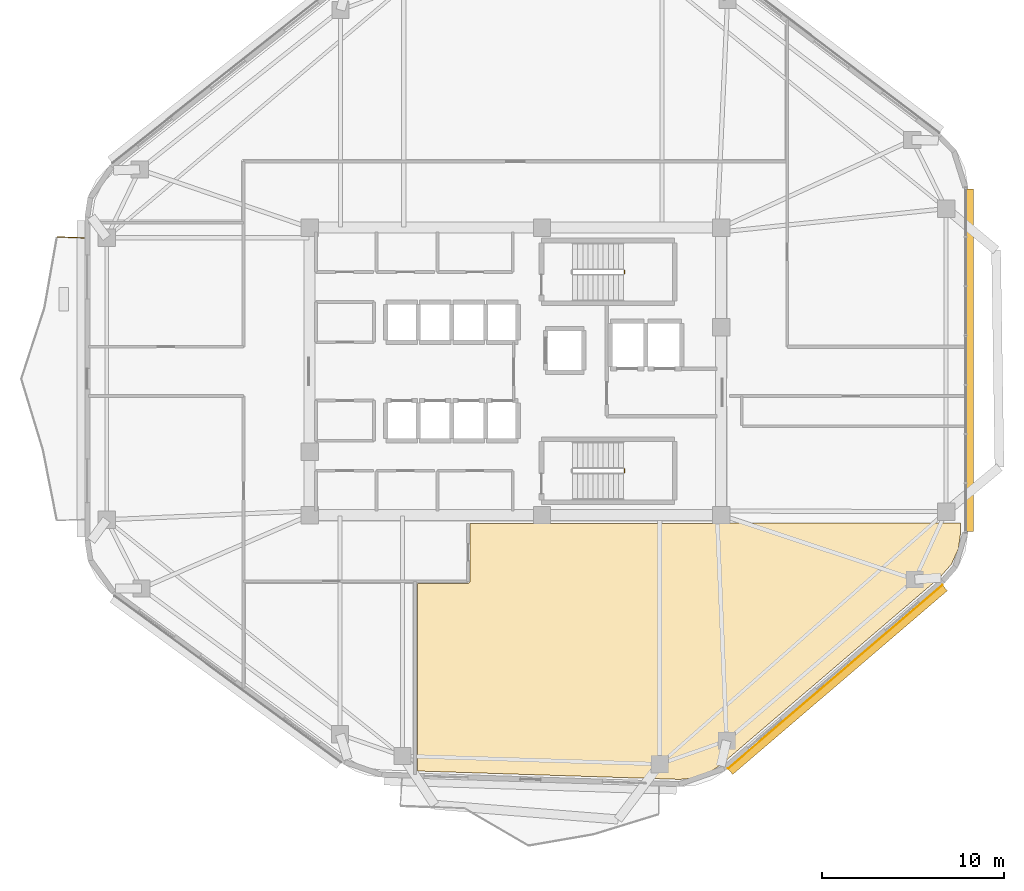
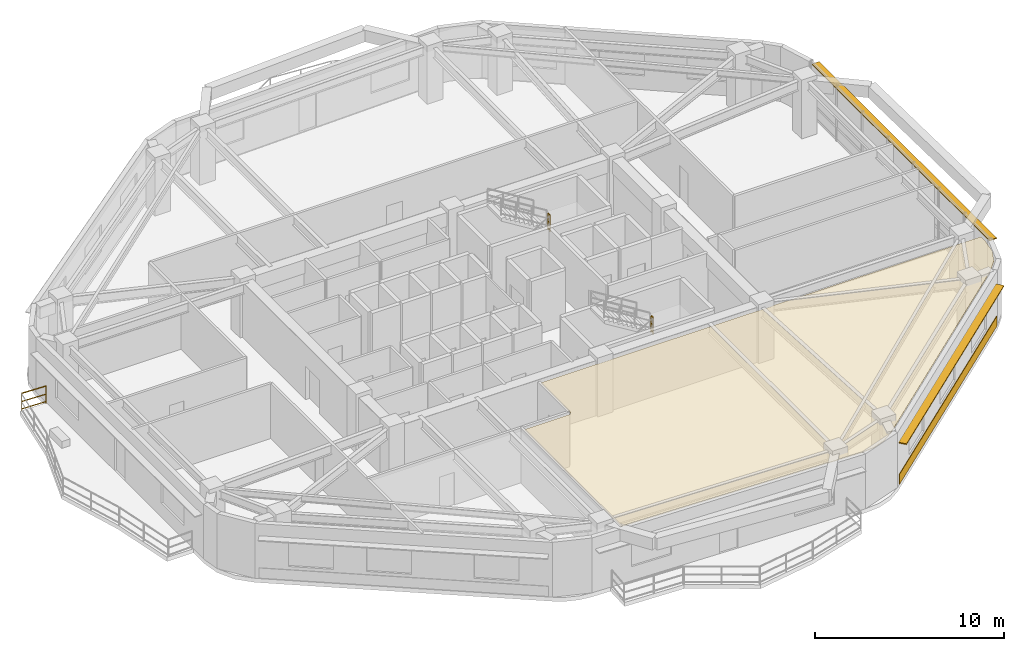
# One storey, part 13 of 14: 3 railings, 2 coverings, 2 shading devices.
"""IFC4 building model written with IfcOpenShell, lengths in metres."""

from ifc_helpers import new_model, si_unit, direction, frame, origin, origin_2d, place, context, subcontext, project, spatial, polyline, rectangle, outline, extrude, material, layer, layer_set, type_object, element, save


model = new_model("IFC4")

# Units and contexts
model_context = context("Model", 3, precision=1e-05, world=origin(), true_north=direction((0.0, 1.0)))
body_context = subcontext(model_context, "Body", "Model", "MODEL_VIEW")
ifc_project = project(units=[si_unit("LENGTHUNIT", "METRE"), si_unit("AREAUNIT", "SQUARE_METRE"), si_unit("VOLUMEUNIT", "CUBIC_METRE"), si_unit("PLANEANGLEUNIT", "RADIAN"), si_unit("MASSUNIT", "GRAM", prefix="KILO")], contexts=[model_context])

# Site, building, storey
site_placement = place(None, origin())
site = spatial("IfcSite", under=ifc_project, at=site_placement, CompositionType="ELEMENT")
building_placement = place(site_placement, origin())
building = spatial("IfcBuilding", under=site, at=building_placement, Name="Zulverin Broadcast Headquarters", CompositionType="ELEMENT")
storey_placement = place(building_placement, frame((0.0, 0.0, 178.199951171875)))
storey = spatial("IfcBuildingStorey", under=building, at=storey_placement, Name="L45", CompositionType="ELEMENT", Elevation=178.199951171875)

# Coverings
ifc_material_1 = material(Name="Perforated pale-metal acoustic baffle ceiling", Category="aluminium")
ifc_layer_1 = layer(ifc_material_1, 0.0400390625, Name="Perforated pale-metal acoustic baffle ceiling", Category="aluminium")
ifc_layer_set_1 = layer_set([ifc_layer_1], Name="Perforated pale-metal acoustic baffle ceiling")
covering_type_1 = type_object("IfcCoveringType", Name="COV-CEIL-ACOU", PredefinedType="CEILING", material=ifc_layer_set_1)
covering_1_placement = place(storey_placement, frame((0.0, 0.0, 3.360107421875)))
element("IfcCovering", 1, at=covering_1_placement, inside=storey, type_object=covering_type_1, Name="L45 Acoustic Baffle Ceiling 03", PredefinedType="CEILING", context=body_context, shape_type="SweptSolid", body=[
    extrude(outline(polyline([(34.39208984375, 13.583984375), (34.3798828125, 13.580078125), (34.367919921875, 13.580078125), (31.6201171875, 13.580078125), (31.6201171875, 3.303955078125), (43.00390625, 2.93994140625), (46.008056640625, 2.843994140625), (46.81591796875, 2.919921875), (47.56005859375, 3.179931640625), (48.23193359375, 3.6279296875), (60.256103515625, 13.916015625), (60.884033203125, 14.632080078125), (61.263916015625, 15.464111328125), (61.39990234375, 16.39599609375), (61.39990234375, 16.89990234375), (48.635986328125, 16.89990234375), (48.6279296875, 16.89599609375), (48.6201171875, 16.89208984375), (48.612060546875, 16.887939453125), (48.60009765625, 16.884033203125), (48.592041015625, 16.884033203125), (48.580078125, 16.8798828125), (48.568115234375, 16.8798828125), (34.52001953125, 16.8798828125), (34.52001953125, 13.73193359375), (34.52001953125, 13.719970703125), (34.51611328125, 13.7080078125), (34.51611328125, 13.699951171875), (34.511962890625, 13.68798828125), (34.508056640625, 13.679931640625), (34.50390625, 13.672119140625), (34.5, 13.6640625), (34.491943359375, 13.652099609375), (34.48388671875, 13.639892578125), (34.47607421875, 13.632080078125), (34.468017578125, 13.6240234375), (34.4599609375, 13.615966796875), (34.447998046875, 13.60791015625), (34.43603515625, 13.60009765625), (34.427978515625, 13.595947265625), (34.419921875, 13.592041015625), (34.412109375, 13.587890625), (34.39990234375, 13.583984375), (34.39208984375, 13.583984375)])), origin(), (0.0, 0.0, 1.0), 0.0400390625),
])
ifc_material_2 = material(Name="Brushed pale-aluminium rainscreen cladding", Category="aluminium")
ifc_layer_2 = layer(ifc_material_2, 0.0400390625, Name="Brushed pale-aluminium rainscreen cladding", Category="aluminium")
ifc_layer_set_2 = layer_set([ifc_layer_2], Name="Brushed pale-aluminium rainscreen cladding")
covering_type_2 = type_object("IfcCoveringType", Name="COV-CLAD-PALE", PredefinedType="CLADDING", material=ifc_layer_set_2)
covering_2_placement = place(storey_placement, frame((54.51513671875, 8.46337890625, 0.05517578125), z_axis=(0.0, 0.0, 1.0), x_axis=(0.759706154917, 0.650266528572, 0.0)))
element("IfcCovering", 2, at=covering_2_placement, inside=storey, type_object=covering_type_2, Name="L45 Brushed Pale-Aluminium Spandrel Cladding 2", PredefinedType="CLADDING", context=body_context, shape_type="SweptSolid", body=[
    extrude(rectangle(XDim=15.48095703125, YDim=0.0400390625, at=origin_2d()), origin(), (0.0, 0.0, 1.0), 0.64990234375),
])

# Railings
ifc_material_3 = material(Name="Brushed stainless steel & laminated glass balustrade", Category="steel")
railing_type_1 = type_object("IfcRailingType", Name="RL-GUARD-1150", PredefinedType="GUARDRAIL", material=ifc_material_3)
railing_1_placement = place(storey_placement, frame((13.360107421875, 32.51318359375, 0.0)))
element("IfcRailing", 3, at=railing_1_placement, inside=storey, type_object=railing_type_1, Name="L45 Vertical-Forest Balcony Guardrail BAL_W Segment 01", PredefinedType="GUARDRAIL", context=body_context, shape_type="SweptSolid", body=[
    extrude(rectangle(XDim=0.048095703125, YDim=0.048095703125, at=origin_2d()), frame((0.0, 0.0, 1.1259765625), z_axis=(-0.999181155166, 0.040460093435, 0.0), x_axis=(-0.040460093435, -0.999181155166, 0.0)), (0.0, 0.0, 1.0), 1.46630859375),
    extrude(rectangle(XDim=0.0419921875, YDim=0.0419921875, at=origin_2d()), frame((0.0, 0.0, 0.597900390625), z_axis=(-0.999181155166, 0.040460093435, 0.0), x_axis=(-0.040460093435, -0.999181155166, 0.0)), (0.0, 0.0, 1.0), 1.46630859375),
    extrude(rectangle(XDim=0.0419921875, YDim=0.0419921875, at=origin_2d()), frame((0.0, 0.0, 0.1201171875), z_axis=(-0.999181155166, 0.040460093435, 0.0), x_axis=(-0.040460093435, -0.999181155166, 0.0)), (0.0, 0.0, 1.0), 1.46630859375),
    extrude(rectangle(XDim=0.0419921875, YDim=0.0419921875, at=origin_2d()), origin(), (0.0, 0.0, 1.0), 1.101806640625),
    extrude(rectangle(XDim=0.0419921875, YDim=0.0419921875, at=origin_2d()), frame((-1.465087890625, 0.059326171875, 0.0)), (0.0, 0.0, 1.0), 1.101806640625),
])
ifc_material_4 = material(Name="Painted galvanized steel tubular guardrail S355JR", Category="steel")
railing_type_2 = type_object("IfcRailingType", Name="RL-ST-GUARD", PredefinedType="GUARDRAIL", material=ifc_material_4)
railing_2_placement = place(storey_placement, frame((42.97998046875, 30.550048828125, 1.900146484375)))
element("IfcRailing", 4, at=railing_2_placement, inside=storey, type_object=railing_type_2, Name="L45 ST-1 stair guard 2", PredefinedType="GUARDRAIL", context=body_context, shape_type="SweptSolid", body=[
    extrude(rectangle(XDim=0.048095703125, YDim=0.048095703125, at=origin_2d()), frame((0.0, 0.0, 1.076171875), z_axis=(0.0, 1.0, 0.0), x_axis=(-1.0, 0.0, 0.0)), (0.0, 0.0, 1.0), 0.199951171875),
    extrude(rectangle(XDim=0.0419921875, YDim=0.0419921875, at=origin_2d()), frame((0.0, 0.0, 0.572021484375), z_axis=(0.0, 1.0, 0.0), x_axis=(-1.0, 0.0, 0.0)), (0.0, 0.0, 1.0), 0.199951171875),
    extrude(rectangle(XDim=0.0419921875, YDim=0.0419921875, at=origin_2d()), frame((0.0, 0.0, 0.1201171875), z_axis=(0.0, 1.0, 0.0), x_axis=(-1.0, 0.0, 0.0)), (0.0, 0.0, 1.0), 0.199951171875),
    extrude(rectangle(XDim=0.0419921875, YDim=0.0419921875, at=origin_2d()), origin(), (0.0, 0.0, 1.0), 1.052001953125),
    extrude(rectangle(XDim=0.0419921875, YDim=0.0419921875, at=origin_2d()), frame((0.0, 0.199951171875, 0.0)), (0.0, 0.0, 1.0), 1.052001953125),
])
railing_3_placement = place(storey_placement, frame((42.97998046875, 19.64990234375, 1.900146484375)))
element("IfcRailing", 5, at=railing_3_placement, inside=storey, type_object=railing_type_2, Name="L45 ST-2 stair guard 2", PredefinedType="GUARDRAIL", context=body_context, shape_type="SweptSolid", body=[
    extrude(rectangle(XDim=0.048095703125, YDim=0.048095703125, at=origin_2d()), frame((0.0, 0.0, 1.076171875), z_axis=(0.0, 1.0, 0.0), x_axis=(-1.0, 0.0, 0.0)), (0.0, 0.0, 1.0), 0.2001953125),
    extrude(rectangle(XDim=0.0419921875, YDim=0.0419921875, at=origin_2d()), frame((0.0, 0.0, 0.572021484375), z_axis=(0.0, 1.0, 0.0), x_axis=(-1.0, 0.0, 0.0)), (0.0, 0.0, 1.0), 0.2001953125),
    extrude(rectangle(XDim=0.0419921875, YDim=0.0419921875, at=origin_2d()), frame((0.0, 0.0, 0.1201171875), z_axis=(0.0, 1.0, 0.0), x_axis=(-1.0, 0.0, 0.0)), (0.0, 0.0, 1.0), 0.2001953125),
    extrude(rectangle(XDim=0.0419921875, YDim=0.0419921875, at=origin_2d()), origin(), (0.0, 0.0, 1.0), 1.052001953125),
    extrude(rectangle(XDim=0.0419921875, YDim=0.0419921875, at=origin_2d()), frame((0.0, 0.2001953125, 0.0)), (0.0, 0.0, 1.0), 1.052001953125),
])

# Shading devices
ifc_material_5 = material(Name="Anodized pale-metal aluminium sunshade", Category="aluminium")
ifc_layer_3 = layer(ifc_material_5, 0.06005859375, Name="Anodized pale-metal aluminium sunshade", Category="aluminium")
ifc_layer_set_3 = layer_set([ifc_layer_3], Name="Anodized pale-metal aluminium sunshade")
shading_device_type = type_object("IfcShadingDeviceType", Name="SS-01_PALE_METAL_ALUMINIUM_SUNSHADE", PredefinedType="USERDEFINED", material=ifc_layer_set_3)
shading_device_1_placement = place(storey_placement, frame((54.638671875, 8.319091796875, 2.7099609375), z_axis=(0.0, 0.0, 1.0), x_axis=(0.759706154917, 0.650266528572, 0.0)))
element("IfcShadingDevice", 6, at=shading_device_1_placement, inside=storey, type_object=shading_device_type, Name="L45 Horizontal Pale-Metal Sunshade Band 2", ObjectType="SUNSHADE", PredefinedType="USERDEFINED", context=body_context, shape_type="SweptSolid", body=[
    extrude(rectangle(XDim=15.48095703125, YDim=0.449951171875, at=origin_2d()), origin(), (0.0, 0.0, 1.0), 0.06005859375),
])
shading_device_2_placement = place(storey_placement, frame((61.8798828125, 25.8203125, 3.31005859375), z_axis=(0.0, 0.0, 1.0), x_axis=(0.0, 1.0, 0.0)))
element("IfcShadingDevice", 7, at=shading_device_2_placement, inside=storey, type_object=shading_device_type, Name="L45 Pale-Metal Horizontal Sunshade Band CW-L45-E3", ObjectType="SUNSHADE", PredefinedType="USERDEFINED", context=body_context, shape_type="SweptSolid", body=[
    extrude(rectangle(XDim=18.76220703125, YDim=0.449951171875, at=origin_2d()), origin(), (0.0, 0.0, 1.0), 0.06005859375),
])

save(model, "model.ifc")
